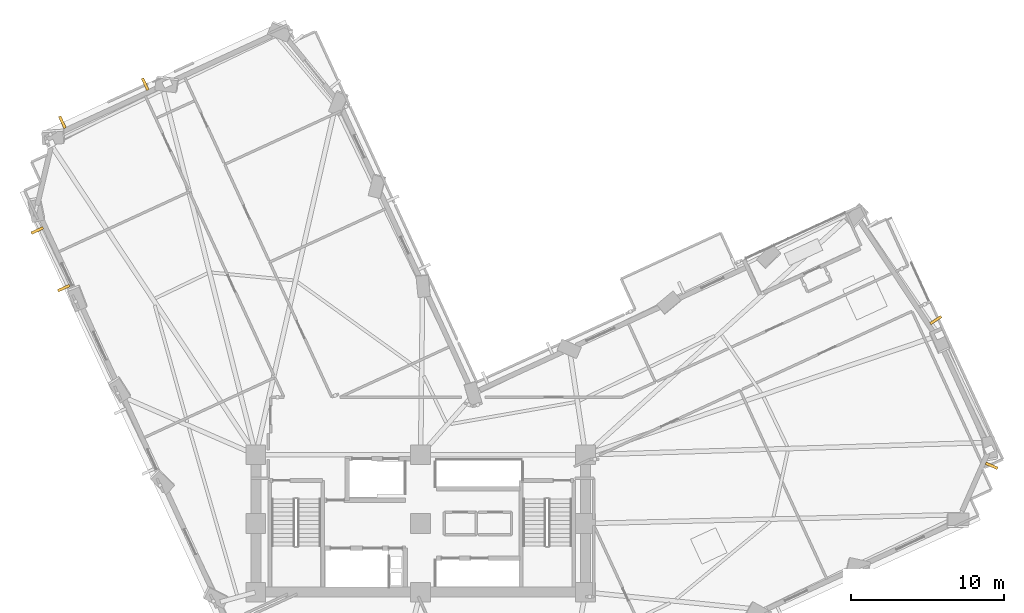
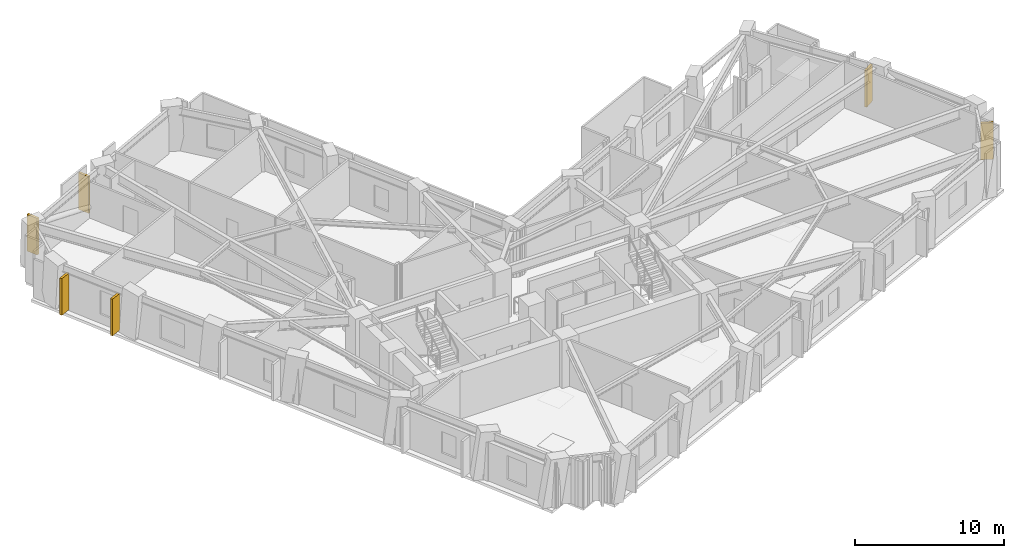
# One storey, part 14 of 16: 6 shading devices.
"""IFC4 building model written with IfcOpenShell, lengths in metres."""

from ifc_helpers import new_model, si_unit, direction, frame, origin, origin_2d, place, context, subcontext, project, spatial, rectangle, extrude, material, type_object, element, save


model = new_model("IFC4")

# Units and contexts
model_context = context("Model", 3, precision=1e-05, world=origin(), true_north=direction((0.0, 1.0)))
body_context = subcontext(model_context, "Body", "Model", "MODEL_VIEW")
ifc_project = project(units=[si_unit("LENGTHUNIT", "METRE"), si_unit("AREAUNIT", "SQUARE_METRE"), si_unit("VOLUMEUNIT", "CUBIC_METRE"), si_unit("PLANEANGLEUNIT", "RADIAN"), si_unit("MASSUNIT", "GRAM", prefix="KILO")], contexts=[model_context])

# Site, building, storey
site_placement = place(None, origin())
site = spatial("IfcSite", under=ifc_project, at=site_placement, CompositionType="ELEMENT")
building_placement = place(site_placement, origin())
building = spatial("IfcBuilding", under=site, at=building_placement, Name="Gaonmaruhae Medical Tower", CompositionType="ELEMENT")
storey_placement = place(building_placement, frame((0.0, 0.0, 128.39990234375)))
storey = spatial("IfcBuildingStorey", under=building, at=storey_placement, Name="L30", CompositionType="ELEMENT", Elevation=128.39990234375)

# Shading devices
ifc_material = material(Name="Pigmented coral precast concrete C45/55", Category="concrete")
shading_device_type = type_object("IfcShadingDeviceType", Name="SD-FIN1 Tower Vertical Coral Precast Shading Fin", PredefinedType="USERDEFINED", material=ifc_material)
for number, where, z_axis, x_axis, name in (
    (1, (62.205810546875, 16.08447265625, 0.08251953125), (0.0, 0.0, 1.0), (-0.404375521095, -0.914593044987, 0.0), "L30 Vertical Coral Precast Shading Fin S07"),
    (2, (58.54638671875, 25.62548828125, 0.08251953125), (0.0, 0.0, 1.0), (0.551791436375, -0.833982140542, 0.0), "L30 Vertical Coral Precast Shading Fin E02B"),
    (3, (1.327392578125, 38.591064453125, 0.08251953125), (0.0, 0.0, 1.0), (0.908508177527, 0.417867073801, 0.0), "L30 Vertical Coral Precast Shading Fin N02"),
    (4, (6.751220703125, 41.085693359375, 0.08251953125), (0.0, 0.0, 1.0), (0.908508177527, 0.417867073801, 0.0), "L30 Vertical Coral Precast Shading Fin N02B"),
    (5, (1.419677734375, 27.72216796875, 0.08251953125), (0.0, 0.0, 1.0), (-0.417867073801, 0.908508177527, 0.0), "L30 Vertical Coral Precast Shading Fin W01"),
    (6, (-0.31689453125, 31.49755859375, 0.08251953125), (0.0, 0.0, 1.0), (-0.417867073801, 0.908508177527, 0.0), "L30 Vertical Coral Precast Shading Fin W01B"),
):
    element("IfcShadingDevice", number, at=place(storey_placement, frame(where, z_axis=z_axis, x_axis=x_axis)), inside=storey, type_object=shading_device_type, Name=name, ObjectType="FIN", PredefinedType="USERDEFINED", context=body_context, shape_type="SweptSolid", body=[
        extrude(rectangle(XDim=0.179931640625, YDim=0.85009765625, at=origin_2d()), origin(), (0.0, 0.0, 1.0), 3.0),
    ])

save(model, "model.ifc")
